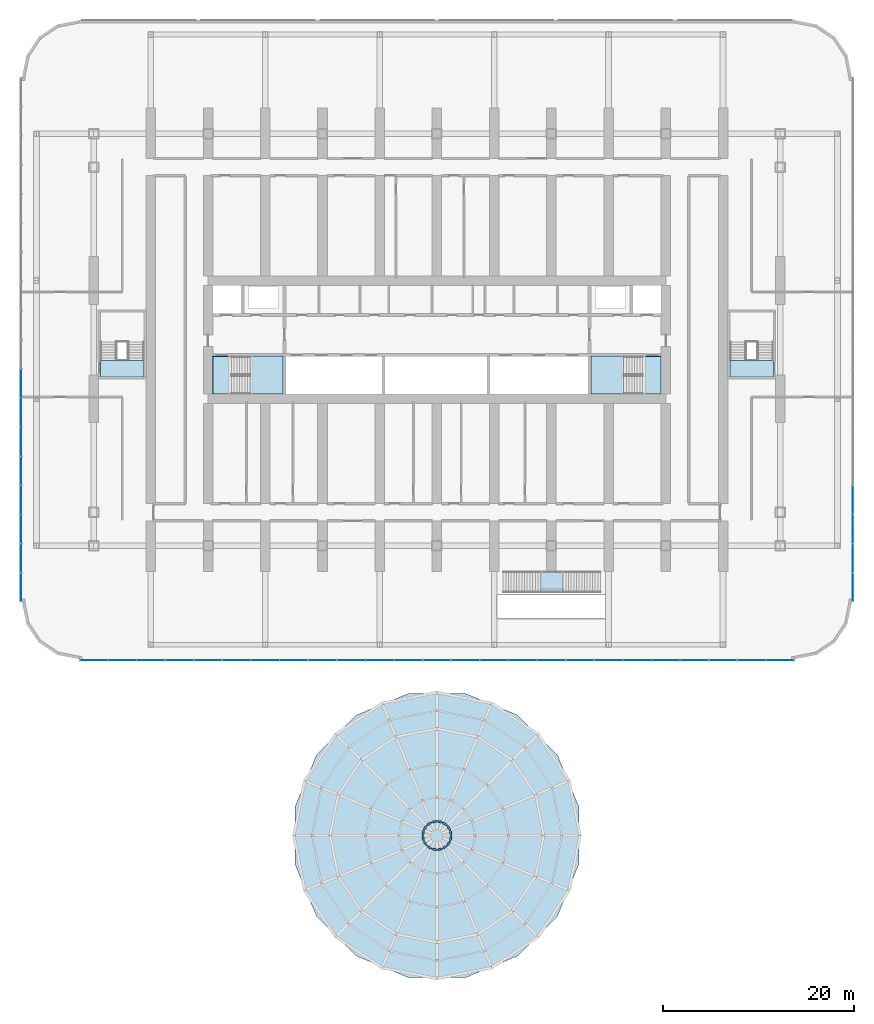
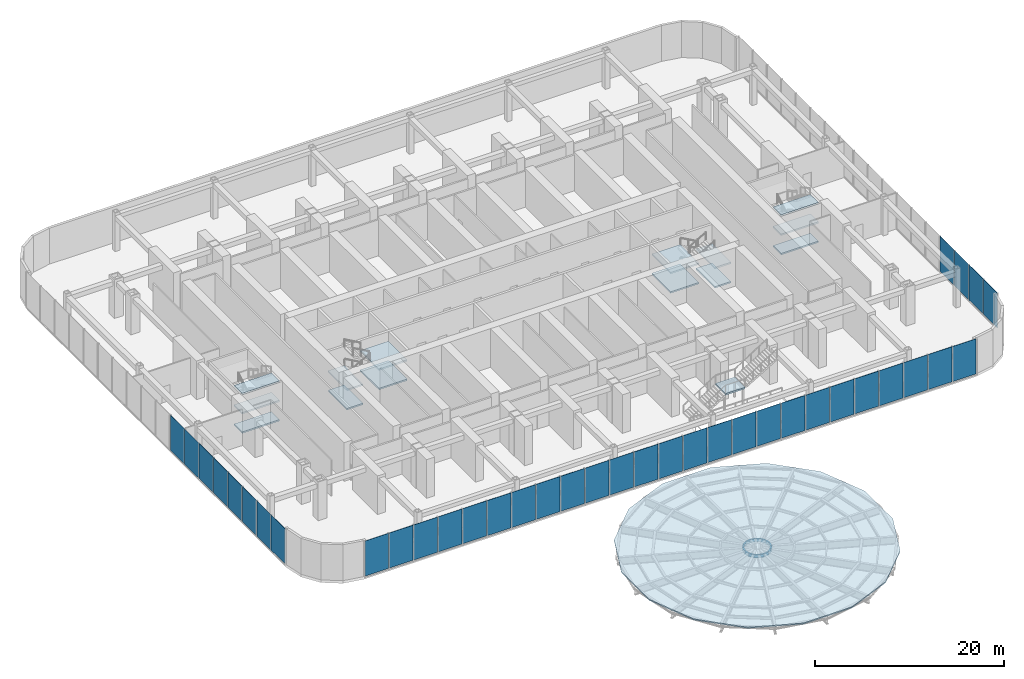
# One storey, part 12 of 37: 37 plates, 16 members, 16 slabs, 8 elements without a shape of their own.
"""IFC4 building model written with IfcOpenShell, lengths in metres."""

import ifcopenshell
import ifcopenshell.guid

model = None  # the IFC model being written
_history = None  # IfcOwnerHistory: only IFC2X3 demands one
_inside = {}  # id of a spatial element -> (the spatial element, [elements in it])
_under = {}  # id of a project, library or spatial element -> (it, [spatial elements below it])
_declared = {}  # id of a project -> (the project, [libraries it declares])
_typed = {}  # id of a type object -> (the type object, [elements of that type])
_made_of = {}  # id of a material, layer set ... -> (it, [elements and type objects made of it])


def new_model(schema):
    """Start an empty IFC model of exactly this schema.

    Asked for "IFC4X3", IfcOpenShell would pick the latest addendum, in which some entities
    have other attributes; the version numbers below select the first issue.
    IFC2X3 requires an IfcOwnerHistory on every rooted entity: one is made here for all.
    """
    global model, _history
    if schema == "IFC4X3":
        model = ifcopenshell.file(schema_version=(4, 3, 0, 0))
    else:
        model = ifcopenshell.file(schema=schema)
    _inside.clear()
    _under.clear()
    _declared.clear()
    _typed.clear()
    _made_of.clear()
    _history = None
    if model.schema == "IFC2X3":
        org = make("IfcOrganization", Name="unknown")
        user = make(
            "IfcPersonAndOrganization",
            ThePerson=make("IfcPerson", FamilyName="unknown"),
            TheOrganization=org,
        )
        app = make(
            "IfcApplication",
            ApplicationDeveloper=org,
            Version="unknown",
            ApplicationFullName="unknown",
            ApplicationIdentifier="unknown",
        )
        _history = make(
            "IfcOwnerHistory",
            OwningUser=user,
            OwningApplication=app,
            ChangeAction="ADDED",
            CreationDate=0,
        )
    return model


def make(cls, **values):
    """One entity of the class cls with the attributes given. An attribute that is None is left unset."""
    return model.create_entity(
        cls, **{name: value for name, value in values.items() if value is not None}
    )


def rooted(cls, **values):
    """An entity with a GlobalId (a new one), such as an element, a storey or a relation."""
    return make(cls, GlobalId=ifcopenshell.guid.new(), OwnerHistory=_history, **values)


def si_unit(unit_type, name, prefix=None):
    """IfcSIUnit, for example si_unit("LENGTHUNIT", "METRE", prefix="MILLI")."""
    return make("IfcSIUnit", UnitType=unit_type, Prefix=prefix, Name=name)


def assignment(units):
    """IfcUnitAssignment: the units of a project."""
    return None if units is None else make("IfcUnitAssignment", Units=units)


def point(xyz):
    """IfcCartesianPoint."""
    return None if xyz is None else make("IfcCartesianPoint", Coordinates=xyz)


def direction(xyz):
    """IfcDirection."""
    return None if xyz is None else make("IfcDirection", DirectionRatios=xyz)


def frame(location, z_axis=None, x_axis=None):
    """IfcAxis2Placement3D, a coordinate frame: its origin and axes. An axis left out is left unset."""
    return make(
        "IfcAxis2Placement3D",
        Location=point(location),
        Axis=direction(z_axis),
        RefDirection=direction(x_axis),
    )


def frame_2d(location, x_axis=None):
    """IfcAxis2Placement2D, a coordinate frame in the plane: its origin and x axis."""
    return make(
        "IfcAxis2Placement2D", Location=point(location), RefDirection=direction(x_axis)
    )


def origin():
    """The frame at (0, 0, 0) with its axes left unset."""
    return frame((0.0, 0.0, 0.0))


def origin_2d():
    """The frame at (0, 0) in the plane with its x axis left unset."""
    return frame_2d((0.0, 0.0))


def place(relative_to, where):
    """IfcLocalPlacement: puts the frame where relative to a parent placement (None: the world)."""
    return make(
        "IfcLocalPlacement", PlacementRelTo=relative_to, RelativePlacement=where
    )


def context(
    kind, dimensions, precision=None, world=None, true_north=None, identifier=None
):
    """IfcGeometricRepresentationContext, for example the 3D "Model" context."""
    return make(
        "IfcGeometricRepresentationContext",
        ContextIdentifier=identifier,
        ContextType=kind,
        CoordinateSpaceDimension=dimensions,
        Precision=precision,
        WorldCoordinateSystem=world,
        TrueNorth=true_north,
    )


def subcontext(parent, identifier, kind, view, scale=None):
    """IfcGeometricRepresentationSubContext, for example "Body" below "Model"."""
    return make(
        "IfcGeometricRepresentationSubContext",
        ContextIdentifier=identifier,
        ContextType=kind,
        ParentContext=parent,
        TargetScale=scale,
        TargetView=view,
    )


def project(units=None, contexts=None):
    """IfcProject with its units and contexts."""
    return rooted(
        "IfcProject",
        Name="project",
        RepresentationContexts=contexts,
        UnitsInContext=assignment(units),
    )


def spatial(cls, under=None, at=None, **own):
    """A site, building, storey or space (cls), placed at a placement, below another one or the project."""
    s = rooted(cls, ObjectPlacement=at, **own)
    if under is not None:
        _under.setdefault(under.id(), (under, []))[1].append(s)
    return s


def polyline(points):
    """IfcPolyline through the points."""
    return make("IfcPolyline", Points=[point(p) for p in points])


def profile(cls, at=None, kind="AREA", **sizes):
    """A parametric profile (cls). Its sizes go by their IFC names, for example OverallWidth=200.0."""
    return make(cls, ProfileType=kind, Position=at, **sizes)


def rectangle(**sizes):
    """IfcRectangleProfileDef."""
    return profile("IfcRectangleProfileDef", **sizes)


def i_section(**sizes):
    """IfcIShapeProfileDef."""
    return profile("IfcIShapeProfileDef", **sizes)


def outline(outer, holes=None, kind="AREA"):
    """IfcArbitraryClosedProfileDef: a profile drawn as a closed curve; with holes, ...WithVoids."""
    if holes is None:
        return make("IfcArbitraryClosedProfileDef", ProfileType=kind, OuterCurve=outer)
    return make(
        "IfcArbitraryProfileDefWithVoids",
        ProfileType=kind,
        OuterCurve=outer,
        InnerCurves=holes,
    )


def extrude(swept, where, along, depth):
    """IfcExtrudedAreaSolid: the profile swept, set in the frame where, extruded along a direction by depth."""
    return make(
        "IfcExtrudedAreaSolid",
        SweptArea=swept,
        Position=where,
        ExtrudedDirection=direction(along),
        Depth=depth,
    )


def shape(context_of_items, identifier, shape_type, items):
    """IfcShapeRepresentation: the items that make up one representation, for example the "Body"."""
    return make(
        "IfcShapeRepresentation",
        ContextOfItems=context_of_items,
        RepresentationIdentifier=identifier,
        RepresentationType=shape_type,
        Items=items,
    )


def material(Name=None, Category=None):
    """IfcMaterial."""
    return make("IfcMaterial", Name=Name, Category=Category)


def layer(
    of_material, thickness, ventilated=None, Name=None, Category=None, Priority=None
):
    """IfcMaterialLayer: one layer of a wall or slab, of a material (None: an air gap)."""
    return make(
        "IfcMaterialLayer",
        Material=of_material,
        LayerThickness=thickness,
        IsVentilated=ventilated,
        Name=Name,
        Category=Category,
        Priority=Priority,
    )


def layer_set(layers, Name=None):
    """IfcMaterialLayerSet."""
    return make("IfcMaterialLayerSet", MaterialLayers=layers, LayerSetName=Name)


def material_profile(
    of_material, cross_section, Name=None, Category=None, Priority=None
):
    """IfcMaterialProfile: a cross section and its material."""
    return make(
        "IfcMaterialProfile",
        Name=Name,
        Material=of_material,
        Profile=cross_section,
        Priority=Priority,
        Category=Category,
    )


def profile_set(profiles, Name=None, composite=None):
    """IfcMaterialProfileSet."""
    return make(
        "IfcMaterialProfileSet",
        Name=Name,
        MaterialProfiles=profiles,
        CompositeProfile=composite,
    )


def made_of(thing, what):
    """Note that an element or type object is made of a material, layer set ...; save() writes the relation."""
    if what is not None:
        _made_of.setdefault(what.id(), (what, []))[1].append(thing)
    return thing


def type_object(cls, material=None, **own):
    """A type object (cls), such as IfcWallType, which elements share."""
    return made_of(rooted(cls, **own), material)


def element(
    cls,
    number,
    at=None,
    inside=None,
    cuts=None,
    type_object=None,
    material=None,
    context=None,
    identifier="Body",
    shape_type=None,
    held_by="IfcProductDefinitionShape",
    body=None,
    shapes=None,
    **own,
):
    """One element of the class cls, such as IfcWall. Its Tag is "e" and its number.

    at: its placement. inside: the storey or other place that contains it. cuts: it is an
    opening in that element (IfcRelVoidsElement). A single representation is given by context,
    identifier, shape_type and body (its items); several are given by shapes. held_by: the class
    of the entity that holds the representations. save() writes the other relations.
    """
    e = rooted(cls, Tag="e%d" % number, ObjectPlacement=at, **own)
    if body is not None:
        shapes = [shape(context, identifier, shape_type, body)]
    if shapes is not None:
        e.Representation = make(held_by, Representations=shapes)
    if inside is not None:
        _inside.setdefault(inside.id(), (inside, []))[1].append(e)
    if cuts is not None:
        rooted(
            "IfcRelVoidsElement", RelatingBuildingElement=cuts, RelatedOpeningElement=e
        )
    if type_object is not None:
        _typed.setdefault(type_object.id(), (type_object, []))[1].append(e)
    return made_of(e, material)


def aggregate(whole, parts):
    """IfcRelAggregates: a whole, such as a stair, and the parts it consists of."""
    return rooted("IfcRelAggregates", RelatingObject=whole, RelatedObjects=parts)


def save(model, path):
    """Write the relations noted so far, then the file.

    IfcRelAggregates (storeys below a building ...), IfcRelContainedInSpatialStructure (elements
    in a storey), IfcRelDefinesByType, IfcRelAssociatesMaterial and IfcRelDeclares: one each for
    every whole, place, type object, material and project.
    """
    for whole, parts in _under.values():
        aggregate(whole, parts)
    for where, things in _inside.values():
        rooted(
            "IfcRelContainedInSpatialStructure",
            RelatedElements=things,
            RelatingStructure=where,
        )
    for kind, things in _typed.values():
        rooted("IfcRelDefinesByType", RelatedObjects=things, RelatingType=kind)
    for what, things in _made_of.values():
        rooted("IfcRelAssociatesMaterial", RelatedObjects=things, RelatingMaterial=what)
    for by, libraries in _declared.values():
        rooted("IfcRelDeclares", RelatingContext=by, RelatedDefinitions=libraries)
    model.write(path)


model = new_model("IFC4")

# Units and contexts
model_context = context("Model", 3, precision=1e-05, world=origin(), true_north=direction((0.0, 1.0)))
body_context = subcontext(model_context, "Body", "Model", "MODEL_VIEW")
ifc_project = project(units=[si_unit("LENGTHUNIT", "METRE"), si_unit("AREAUNIT", "SQUARE_METRE"), si_unit("VOLUMEUNIT", "CUBIC_METRE"), si_unit("PLANEANGLEUNIT", "RADIAN"), si_unit("MASSUNIT", "GRAM", prefix="KILO")], contexts=[model_context])

# Site, building, storey
site_placement = place(None, origin())
site = spatial("IfcSite", under=ifc_project, at=site_placement, CompositionType="ELEMENT")
building_placement = place(site_placement, origin())
building = spatial("IfcBuilding", under=site, at=building_placement, Name="Orbita Commons", CompositionType="ELEMENT")
storey_placement = place(building_placement, frame((0.0, 0.0, 6.0)))
storey = spatial("IfcBuildingStorey", under=building, at=storey_placement, Name="L01", CompositionType="ELEMENT", Elevation=6.0)

# Members
ifc_material_1 = material(Name="Steel ASTM A992", Category="steel")
ifc_material_profile = material_profile(ifc_material_1, i_section(OverallWidth=0.179931640625, OverallDepth=0.39990234375, WebThickness=0.008544921875, FlangeThickness=0.013427734375, FilletRadius=0.02099609375, at=origin_2d()), Name="IPE 400")
ifc_profile_set = profile_set([ifc_material_profile], Name="Steel ASTM A992")
member_type = type_object("IfcMemberType", Name="Canopy purlin IPE 400", PredefinedType="PURLIN", material=ifc_profile_set)
for number, where, z_axis, x_axis, name in (
    (1, (43.5, -20.0, 1.800048828125), (-0.195233589627, 0.980756771825, 0.0), (-0.980756771825, -0.195233589627, 0.0), "Canopy purlin r1.5 1"),
    (2, (43.3857421875, -19.426025390625, 1.800048828125), (-0.555662511211, 0.831407946579, 0.0), (-0.831407946579, -0.555662511211, 0.0), "Canopy purlin r1.5 2"),
    (3, (43.060546875, -18.939453125, 1.800048828125), (-0.831407946579, 0.555662511211, 0.0), (-0.555662511211, -0.831407946579, 0.0), "Canopy purlin r1.5 3"),
    (4, (42.573974609375, -18.6142578125, 1.800048828125), (-0.980756771825, 0.195233589627, 0.0), (-0.195233589627, -0.980756771825, 0.0), "Canopy purlin r1.5 4"),
    (5, (42.0, -18.5, 1.800048828125), (-0.980756771825, -0.195233589627, 0.0), (0.195233589627, -0.980756771825, 0.0), "Canopy purlin r1.5 5"),
    (6, (41.426025390625, -18.6142578125, 1.800048828125), (-0.831407946579, -0.555662511211, 0.0), (0.555662511211, -0.831407946579, 0.0), "Canopy purlin r1.5 6"),
    (7, (40.939453125, -18.939453125, 1.800048828125), (-0.555662511211, -0.831407946579, 0.0), (0.831407946579, -0.555662511211, 0.0), "Canopy purlin r1.5 7"),
    (8, (40.6142578125, -19.426025390625, 1.800048828125), (-0.195233589627, -0.980756771825, 0.0), (0.980756771825, -0.195233589627, 0.0), "Canopy purlin r1.5 8"),
    (9, (40.5, -20.0, 1.800048828125), (0.195233589627, -0.980756771825, 0.0), (0.980756771825, 0.195233589627, 0.0), "Canopy purlin r1.5 9"),
    (10, (40.6142578125, -20.573974609375, 1.800048828125), (0.555662511211, -0.831407946579, 0.0), (0.831407946579, 0.555662511211, 0.0), "Canopy purlin r1.5 10"),
    (11, (40.939453125, -21.060546875, 1.800048828125), (0.831407946579, -0.555662511211, 0.0), (0.555662511211, 0.831407946579, 0.0), "Canopy purlin r1.5 11"),
    (12, (41.426025390625, -21.3857421875, 1.800048828125), (0.980756771825, -0.195233589627, 0.0), (0.195233589627, 0.980756771825, 0.0), "Canopy purlin r1.5 12"),
    (13, (42.0, -21.5, 1.800048828125), (0.980756771825, 0.195233589627, 0.0), (-0.195233589627, 0.980756771825, 0.0), "Canopy purlin r1.5 13"),
    (14, (42.573974609375, -21.3857421875, 1.800048828125), (0.831407946579, 0.555662511211, 0.0), (-0.555662511211, 0.831407946579, 0.0), "Canopy purlin r1.5 14"),
    (15, (43.060546875, -21.060546875, 1.800048828125), (0.555662511211, 0.831407946579, 0.0), (-0.831407946579, 0.555662511211, 0.0), "Canopy purlin r1.5 15"),
    (16, (43.3857421875, -20.573974609375, 1.800048828125), (0.195233589627, 0.980756771825, 0.0), (-0.980756771825, 0.195233589627, 0.0), "Canopy purlin r1.5 16"),
):
    element("IfcMember", number, at=place(storey_placement, frame(where, z_axis=z_axis, x_axis=x_axis)), inside=storey, type_object=member_type, Name=name, PredefinedType="PURLIN", context=body_context, shape_type="SweptSolid", body=[
        extrude(i_section(OverallWidth=0.179931640625, OverallDepth=0.39990234375, WebThickness=0.008544921875, FlangeThickness=0.013427734375, FilletRadius=0.02099609375, at=origin_2d()), origin(), (0.0, 0.0, 1.0), 0.585205078125),
    ])

# Slab
ifc_material_2 = material(Name="Concrete C40/50 on steel deck", Category="concrete")
ifc_layer_1 = layer(ifc_material_2, 0.14990234375)
ifc_layer_set_1 = layer_set([ifc_layer_1], Name="Concrete C40/50 on steel deck")
slab_type_1 = type_object("IfcSlabType", Name="Canopy roof deck 150", PredefinedType="ROOF", material=ifc_layer_set_1)
slab_1_placement = place(storey_placement, frame((0.0, 0.0, 2.0)))
element("IfcSlab", 17, at=slab_1_placement, inside=storey, type_object=slab_type_1, Name="Saucer canopy roof deck", PredefinedType="ROOF", context=body_context, shape_type="SweptSolid", body=[
    extrude(outline(polyline([(56.907958984375, -17.03466796875), (54.638427734375, -11.555419921875), (50.444580078125, -7.361572265625), (44.96533203125, -5.092041015625), (39.03466796875, -5.092041015625), (33.555419921875, -7.361572265625), (29.361572265625, -11.555419921875), (27.092041015625, -17.03466796875), (27.092041015625, -22.96533203125), (29.361572265625, -28.444580078125), (33.555419921875, -32.638427734375), (39.03466796875, -34.907958984375), (44.96533203125, -34.907958984375), (50.444580078125, -32.638427734375), (54.638427734375, -28.444580078125), (56.907958984375, -22.96533203125), (56.907958984375, -17.03466796875)])), origin(), (0.0, 0.0, 1.0), 0.14990234375),
])

# Stair, slab
ifc_material_3 = material(Name="Steel ASTM A992 stringers, precast concrete C40/50 terrazzo treads", Category="concrete")
stair_type_1 = type_object("IfcStairType", Name="Feature stair 30 risers 167 x 280 x 2200", PredefinedType="STRAIGHT_RUN_STAIR", material=ifc_material_3)
stair_1_placement = place(storey_placement, origin())
stair_1 = element("IfcStair", 18, at=stair_1_placement, inside=storey, type_object=stair_type_1, Name="Grand stair L01 to L02", PredefinedType="STRAIGHT_RUN_STAIR")
ifc_material_4 = material(Name="Concrete C40/50", Category="concrete")
ifc_layer_2 = layer(ifc_material_4, 0.199951171875)
ifc_layer_set_2 = layer_set([ifc_layer_2], Name="Concrete C40/50")
slab_type_2 = type_object("IfcSlabType", Name="Feature stair landing 200", PredefinedType="LANDING", material=ifc_layer_set_2)
slab_2_placement = place(storey_placement, frame((0.0, 0.0, 2.300048828125)))
slab_2 = element("IfcSlab", 19, at=slab_2_placement, type_object=slab_type_2, Name="FS landing 1", PredefinedType="LANDING", context=body_context, shape_type="SweptSolid", body=[
    extrude(outline(polyline([(52.8701171875, 5.5), (55.239990234375, 5.5), (55.239990234375, 7.699951171875), (52.8701171875, 7.699951171875), (52.8701171875, 5.5)])), origin(), (0.0, 0.0, 1.0), 0.199951171875),
])
aggregate(stair_1, [slab_2])

# Stair, slabs
ifc_material_5 = material(Name="Precast concrete C40/50", Category="concrete")
stair_type_2 = type_object("IfcStairType", Name="Exit stair S1 4 flights 8 risers 156", PredefinedType="HALF_TURN_STAIR", material=ifc_material_5)
stair_2_placement = place(storey_placement, origin())
stair_2 = element("IfcStair", 20, at=stair_2_placement, inside=storey, type_object=stair_type_2, Name="Exit stair S1 L01", PredefinedType="HALF_TURN_STAIR")
ifc_material_6 = material(Name="Concrete C40/50", Category="concrete")
ifc_layer_3 = layer(ifc_material_6, 0.199951171875)
ifc_layer_set_3 = layer_set([ifc_layer_3], Name="Concrete C40/50")
slab_type_3 = type_object("IfcSlabType", Name="Stair landing 200", PredefinedType="LANDING", material=ifc_layer_set_3)
slab_3_placement = place(storey_placement, frame((0.0, 0.0, -0.199951171875)))
slab_3 = element("IfcSlab", 21, at=slab_3_placement, type_object=slab_type_3, Name="S1 landing 1", PredefinedType="LANDING", context=body_context, shape_type="SweptSolid", body=[
    extrude(outline(polyline([(18.5, 26.300048828125), (20.449951171875, 26.300048828125), (20.449951171875, 30.25), (18.5, 30.25), (18.5, 26.300048828125)])), origin(), (0.0, 0.0, 1.0), 0.199951171875),
])
slab_4_placement = place(storey_placement, frame((0.0, 0.0, 1.050048828125)))
slab_4 = element("IfcSlab", 22, at=slab_4_placement, type_object=slab_type_3, Name="S1 landing 2", PredefinedType="LANDING", context=body_context, shape_type="SweptSolid", body=[
    extrude(outline(polyline([(22.409912109375, 26.284912109375), (25.864990234375, 26.284912109375), (25.864990234375, 30.264892578125), (22.409912109375, 30.264892578125), (22.409912109375, 26.284912109375)])), origin(), (0.0, 0.0, 1.0), 0.199951171875),
])
slab_5_placement = place(storey_placement, frame((0.0, 0.0, 2.300048828125)))
slab_5 = element("IfcSlab", 23, at=slab_5_placement, type_object=slab_type_3, Name="S1 landing 3", PredefinedType="LANDING", context=body_context, shape_type="SweptSolid", body=[
    extrude(outline(polyline([(18.485107421875, 26.284912109375), (20.449951171875, 26.284912109375), (20.449951171875, 30.264892578125), (18.485107421875, 30.264892578125), (18.485107421875, 26.284912109375)])), origin(), (0.0, 0.0, 1.0), 0.199951171875),
])
slab_6_placement = place(storey_placement, frame((0.0, 0.0, 3.550048828125)))
slab_6 = element("IfcSlab", 24, at=slab_6_placement, type_object=slab_type_3, Name="S1 landing 4", PredefinedType="LANDING", context=body_context, shape_type="SweptSolid", body=[
    extrude(outline(polyline([(22.409912109375, 26.284912109375), (25.864990234375, 26.284912109375), (25.864990234375, 30.264892578125), (22.409912109375, 30.264892578125), (22.409912109375, 26.284912109375)])), origin(), (0.0, 0.0, 1.0), 0.199951171875),
])
aggregate(stair_2, [slab_3, slab_4, slab_5, slab_6])

ifc_material_7 = material(Name="Precast concrete C40/50", Category="concrete")
stair_type_3 = type_object("IfcStairType", Name="Exit stair S2 4 flights 8 risers 156", PredefinedType="HALF_TURN_STAIR", material=ifc_material_7)
stair_3_placement = place(storey_placement, origin())
stair_3 = element("IfcStair", 25, at=stair_3_placement, inside=storey, type_object=stair_type_3, Name="Exit stair S2 L01", PredefinedType="HALF_TURN_STAIR")
slab_7_placement = place(storey_placement, frame((0.0, 0.0, -0.199951171875)))
slab_7 = element("IfcSlab", 26, at=slab_7_placement, type_object=slab_type_3, Name="S2 landing 1", PredefinedType="LANDING", context=body_context, shape_type="SweptSolid", body=[
    extrude(outline(polyline([(63.550048828125, 26.300048828125), (65.5, 26.300048828125), (65.5, 30.25), (63.550048828125, 30.25), (63.550048828125, 26.300048828125)])), origin(), (0.0, 0.0, 1.0), 0.199951171875),
])
slab_8_placement = place(storey_placement, frame((0.0, 0.0, 1.050048828125)))
slab_8 = element("IfcSlab", 27, at=slab_8_placement, type_object=slab_type_3, Name="S2 landing 2", PredefinedType="LANDING", context=body_context, shape_type="SweptSolid", body=[
    extrude(outline(polyline([(58.135009765625, 26.284912109375), (61.590087890625, 26.284912109375), (61.590087890625, 30.264892578125), (58.135009765625, 30.264892578125), (58.135009765625, 26.284912109375)])), origin(), (0.0, 0.0, 1.0), 0.199951171875),
])
slab_9_placement = place(storey_placement, frame((0.0, 0.0, 2.300048828125)))
slab_9 = element("IfcSlab", 28, at=slab_9_placement, type_object=slab_type_3, Name="S2 landing 3", PredefinedType="LANDING", context=body_context, shape_type="SweptSolid", body=[
    extrude(outline(polyline([(63.550048828125, 26.284912109375), (65.514892578125, 26.284912109375), (65.514892578125, 30.264892578125), (63.550048828125, 30.264892578125), (63.550048828125, 26.284912109375)])), origin(), (0.0, 0.0, 1.0), 0.199951171875),
])
slab_10_placement = place(storey_placement, frame((0.0, 0.0, 3.550048828125)))
slab_10 = element("IfcSlab", 29, at=slab_10_placement, type_object=slab_type_3, Name="S2 landing 4", PredefinedType="LANDING", context=body_context, shape_type="SweptSolid", body=[
    extrude(outline(polyline([(58.135009765625, 26.284912109375), (61.590087890625, 26.284912109375), (61.590087890625, 30.264892578125), (58.135009765625, 30.264892578125), (58.135009765625, 26.284912109375)])), origin(), (0.0, 0.0, 1.0), 0.199951171875),
])
aggregate(stair_3, [slab_7, slab_8, slab_9, slab_10])

ifc_material_8 = material(Name="Precast concrete C40/50", Category="concrete")
stair_type_4 = type_object("IfcStairType", Name="Podium exit stair 4 flights 8 risers 156", PredefinedType="HALF_TURN_STAIR", material=ifc_material_8)
stair_4_placement = place(storey_placement, origin())
stair_4 = element("IfcStair", 30, at=stair_4_placement, inside=storey, type_object=stair_type_4, Name="Podium exit stair PS1 L01", PredefinedType="HALF_TURN_STAIR")
slab_11_placement = place(storey_placement, frame((0.0, 0.0, -0.199951171875)))
slab_11 = element("IfcSlab", 31, at=slab_11_placement, type_object=slab_type_3, Name="PS1 landing 1", PredefinedType="LANDING", context=body_context, shape_type="SweptSolid", body=[
    extrude(outline(polyline([(6.7099609375, 28.110107421875), (11.2900390625, 28.110107421875), (11.2900390625, 29.820068359375), (6.7099609375, 29.820068359375), (6.7099609375, 28.110107421875)])), origin(), (0.0, 0.0, 1.0), 0.199951171875),
])
slab_12_placement = place(storey_placement, frame((0.0, 0.0, 2.300048828125)))
slab_12 = element("IfcSlab", 32, at=slab_12_placement, type_object=slab_type_3, Name="PS1 landing 3", PredefinedType="LANDING", context=body_context, shape_type="SweptSolid", body=[
    extrude(outline(polyline([(6.7099609375, 28.110107421875), (11.2900390625, 28.110107421875), (11.2900390625, 29.820068359375), (6.7099609375, 29.820068359375), (6.7099609375, 28.110107421875)])), origin(), (0.0, 0.0, 1.0), 0.199951171875),
])
slab_13_placement = place(storey_placement, frame((0.0, 0.0, 4.800048828125)))
slab_13 = element("IfcSlab", 33, at=slab_13_placement, type_object=slab_type_3, Name="PS1 landing 5", PredefinedType="LANDING", context=body_context, shape_type="SweptSolid", body=[
    extrude(outline(polyline([(6.7099609375, 28.110107421875), (11.2900390625, 28.110107421875), (11.2900390625, 29.820068359375), (6.7099609375, 29.820068359375), (6.7099609375, 28.110107421875)])), origin(), (0.0, 0.0, 1.0), 0.199951171875),
])
aggregate(stair_4, [slab_11, slab_12, slab_13])

stair_5_placement = place(storey_placement, origin())
stair_5 = element("IfcStair", 34, at=stair_5_placement, inside=storey, type_object=stair_type_4, Name="Podium exit stair PS2 L01", PredefinedType="HALF_TURN_STAIR")
slab_14_placement = place(storey_placement, frame((0.0, 0.0, -0.199951171875)))
slab_14 = element("IfcSlab", 35, at=slab_14_placement, type_object=slab_type_3, Name="PS2 landing 1", PredefinedType="LANDING", context=body_context, shape_type="SweptSolid", body=[
    extrude(outline(polyline([(72.7099609375, 28.110107421875), (77.2900390625, 28.110107421875), (77.2900390625, 29.820068359375), (72.7099609375, 29.820068359375), (72.7099609375, 28.110107421875)])), origin(), (0.0, 0.0, 1.0), 0.199951171875),
])
slab_15_placement = place(storey_placement, frame((0.0, 0.0, 2.300048828125)))
slab_15 = element("IfcSlab", 36, at=slab_15_placement, type_object=slab_type_3, Name="PS2 landing 3", PredefinedType="LANDING", context=body_context, shape_type="SweptSolid", body=[
    extrude(outline(polyline([(72.7099609375, 28.110107421875), (77.2900390625, 28.110107421875), (77.2900390625, 29.820068359375), (72.7099609375, 29.820068359375), (72.7099609375, 28.110107421875)])), origin(), (0.0, 0.0, 1.0), 0.199951171875),
])
slab_16_placement = place(storey_placement, frame((0.0, 0.0, 4.800048828125)))
slab_16 = element("IfcSlab", 37, at=slab_16_placement, type_object=slab_type_3, Name="PS2 landing 5", PredefinedType="LANDING", context=body_context, shape_type="SweptSolid", body=[
    extrude(outline(polyline([(72.7099609375, 28.110107421875), (77.2900390625, 28.110107421875), (77.2900390625, 29.820068359375), (72.7099609375, 29.820068359375), (72.7099609375, 28.110107421875)])), origin(), (0.0, 0.0, 1.0), 0.199951171875),
])
aggregate(stair_5, [slab_14, slab_15, slab_16])

# Curtain wall, plates
ifc_material_9 = material(Name="Anodised aluminium frame, pale silver", Category="aluminium")
curtain_wall_type = type_object("IfcCurtainWallType", Name="Podium storefront curtain wall CW-P", PredefinedType="NOTDEFINED", material=ifc_material_9)
curtain_wall_1_placement = place(storey_placement, origin())
curtain_wall_1 = element("IfcCurtainWall", 38, at=curtain_wall_1_placement, inside=storey, type_object=curtain_wall_type, Name="Curtain wall S 1 L01", PredefinedType="NOTDEFINED")
ifc_material_10 = material(Name="Clear double glazing", Category="glass")
ifc_layer_4 = layer(ifc_material_10, 0.031982421875)
ifc_layer_set_4 = layer_set([ifc_layer_4], Name="Clear double glazing")
plate_type = type_object("IfcPlateType", Name="Storefront panel, clear glazing 32", PredefinedType="CURTAIN_PANEL", material=ifc_layer_set_4)
plate_1_placement = place(storey_placement, frame((6.02001953125, -1.610107421875, 0.10009765625), z_axis=(0.0, 0.0, 1.0), x_axis=(1.0, 0.0, 0.0)))
plate_1 = element("IfcPlate", 39, at=plate_1_placement, type_object=plate_type, Name="Panel 1.1 CW-L01-S0", PredefinedType="CURTAIN_PANEL", context=body_context, shape_type="SweptSolid", body=[
    extrude(rectangle(XDim=2.8798828125, YDim=0.031982421875, at=origin_2d()), origin(), (0.0, 0.0, 1.0), 4.550048828125),
])
plate_2_placement = place(storey_placement, frame((9.0, -1.610107421875, 0.10009765625), z_axis=(0.0, 0.0, 1.0), x_axis=(1.0, 0.0, 0.0)))
plate_2 = element("IfcPlate", 40, at=plate_2_placement, type_object=plate_type, Name="Panel 2.1 CW-L01-S0", PredefinedType="CURTAIN_PANEL", context=body_context, shape_type="SweptSolid", body=[
    extrude(rectangle(XDim=2.919921875, YDim=0.031982421875, at=origin_2d()), origin(), (0.0, 0.0, 1.0), 4.550048828125),
])
plate_3_placement = place(storey_placement, frame((12.0, -1.610107421875, 0.10009765625), z_axis=(0.0, 0.0, 1.0), x_axis=(1.0, 0.0, 0.0)))
plate_3 = element("IfcPlate", 41, at=plate_3_placement, type_object=plate_type, Name="Panel 3.1 CW-L01-S0", PredefinedType="CURTAIN_PANEL", context=body_context, shape_type="SweptSolid", body=[
    extrude(rectangle(XDim=2.919921875, YDim=0.031982421875, at=origin_2d()), origin(), (0.0, 0.0, 1.0), 4.550048828125),
])
plate_4_placement = place(storey_placement, frame((15.0, -1.610107421875, 0.10009765625), z_axis=(0.0, 0.0, 1.0), x_axis=(1.0, 0.0, 0.0)))
plate_4 = element("IfcPlate", 42, at=plate_4_placement, type_object=plate_type, Name="Panel 4.1 CW-L01-S0", PredefinedType="CURTAIN_PANEL", context=body_context, shape_type="SweptSolid", body=[
    extrude(rectangle(XDim=2.919921875, YDim=0.031982421875, at=origin_2d()), origin(), (0.0, 0.0, 1.0), 4.550048828125),
])
plate_5_placement = place(storey_placement, frame((18.0, -1.610107421875, 0.10009765625), z_axis=(0.0, 0.0, 1.0), x_axis=(1.0, 0.0, 0.0)))
plate_5 = element("IfcPlate", 43, at=plate_5_placement, type_object=plate_type, Name="Panel 5.1 CW-L01-S0", PredefinedType="CURTAIN_PANEL", context=body_context, shape_type="SweptSolid", body=[
    extrude(rectangle(XDim=2.919921875, YDim=0.031982421875, at=origin_2d()), origin(), (0.0, 0.0, 1.0), 4.550048828125),
])
plate_6_placement = place(storey_placement, frame((21.0, -1.610107421875, 0.10009765625), z_axis=(0.0, 0.0, 1.0), x_axis=(1.0, 0.0, 0.0)))
plate_6 = element("IfcPlate", 44, at=plate_6_placement, type_object=plate_type, Name="Panel 6.1 CW-L01-S0", PredefinedType="CURTAIN_PANEL", context=body_context, shape_type="SweptSolid", body=[
    extrude(rectangle(XDim=2.919921875, YDim=0.031982421875, at=origin_2d()), origin(), (0.0, 0.0, 1.0), 4.550048828125),
])
plate_7_placement = place(storey_placement, frame((24.0, -1.610107421875, 0.10009765625), z_axis=(0.0, 0.0, 1.0), x_axis=(1.0, 0.0, 0.0)))
plate_7 = element("IfcPlate", 45, at=plate_7_placement, type_object=plate_type, Name="Panel 7.1 CW-L01-S0", PredefinedType="CURTAIN_PANEL", context=body_context, shape_type="SweptSolid", body=[
    extrude(rectangle(XDim=2.919921875, YDim=0.031982421875, at=origin_2d()), origin(), (0.0, 0.0, 1.0), 4.550048828125),
])
plate_8_placement = place(storey_placement, frame((27.0, -1.610107421875, 0.10009765625), z_axis=(0.0, 0.0, 1.0), x_axis=(1.0, 0.0, 0.0)))
plate_8 = element("IfcPlate", 46, at=plate_8_placement, type_object=plate_type, Name="Panel 8.1 CW-L01-S0", PredefinedType="CURTAIN_PANEL", context=body_context, shape_type="SweptSolid", body=[
    extrude(rectangle(XDim=2.919921875, YDim=0.031982421875, at=origin_2d()), origin(), (0.0, 0.0, 1.0), 4.550048828125),
])
plate_9_placement = place(storey_placement, frame((30.0, -1.610107421875, 0.10009765625), z_axis=(0.0, 0.0, 1.0), x_axis=(1.0, 0.0, 0.0)))
plate_9 = element("IfcPlate", 47, at=plate_9_placement, type_object=plate_type, Name="Panel 9.1 CW-L01-S0", PredefinedType="CURTAIN_PANEL", context=body_context, shape_type="SweptSolid", body=[
    extrude(rectangle(XDim=2.919921875, YDim=0.031982421875, at=origin_2d()), origin(), (0.0, 0.0, 1.0), 4.550048828125),
])
plate_10_placement = place(storey_placement, frame((33.0, -1.610107421875, 0.10009765625), z_axis=(0.0, 0.0, 1.0), x_axis=(1.0, 0.0, 0.0)))
plate_10 = element("IfcPlate", 48, at=plate_10_placement, type_object=plate_type, Name="Panel 10.1 CW-L01-S0", PredefinedType="CURTAIN_PANEL", context=body_context, shape_type="SweptSolid", body=[
    extrude(rectangle(XDim=2.919921875, YDim=0.031982421875, at=origin_2d()), origin(), (0.0, 0.0, 1.0), 4.550048828125),
])
plate_11_placement = place(storey_placement, frame((36.0, -1.610107421875, 0.10009765625), z_axis=(0.0, 0.0, 1.0), x_axis=(1.0, 0.0, 0.0)))
plate_11 = element("IfcPlate", 49, at=plate_11_placement, type_object=plate_type, Name="Panel 11.1 CW-L01-S0", PredefinedType="CURTAIN_PANEL", context=body_context, shape_type="SweptSolid", body=[
    extrude(rectangle(XDim=2.919921875, YDim=0.031982421875, at=origin_2d()), origin(), (0.0, 0.0, 1.0), 4.550048828125),
])
plate_12_placement = place(storey_placement, frame((39.0, -1.610107421875, 0.10009765625), z_axis=(0.0, 0.0, 1.0), x_axis=(1.0, 0.0, 0.0)))
plate_12 = element("IfcPlate", 50, at=plate_12_placement, type_object=plate_type, Name="Panel 12.1 CW-L01-S0", PredefinedType="CURTAIN_PANEL", context=body_context, shape_type="SweptSolid", body=[
    extrude(rectangle(XDim=2.919921875, YDim=0.031982421875, at=origin_2d()), origin(), (0.0, 0.0, 1.0), 4.550048828125),
])
plate_13_placement = place(storey_placement, frame((42.0, -1.610107421875, 0.10009765625), z_axis=(0.0, 0.0, 1.0), x_axis=(1.0, 0.0, 0.0)))
plate_13 = element("IfcPlate", 51, at=plate_13_placement, type_object=plate_type, Name="Panel 13.1 CW-L01-S0", PredefinedType="CURTAIN_PANEL", context=body_context, shape_type="SweptSolid", body=[
    extrude(rectangle(XDim=2.919921875, YDim=0.031982421875, at=origin_2d()), origin(), (0.0, 0.0, 1.0), 4.550048828125),
])
plate_14_placement = place(storey_placement, frame((45.0, -1.610107421875, 0.10009765625), z_axis=(0.0, 0.0, 1.0), x_axis=(1.0, 0.0, 0.0)))
plate_14 = element("IfcPlate", 52, at=plate_14_placement, type_object=plate_type, Name="Panel 14.1 CW-L01-S0", PredefinedType="CURTAIN_PANEL", context=body_context, shape_type="SweptSolid", body=[
    extrude(rectangle(XDim=2.919921875, YDim=0.031982421875, at=origin_2d()), origin(), (0.0, 0.0, 1.0), 4.550048828125),
])
plate_15_placement = place(storey_placement, frame((48.0, -1.610107421875, 0.10009765625), z_axis=(0.0, 0.0, 1.0), x_axis=(1.0, 0.0, 0.0)))
plate_15 = element("IfcPlate", 53, at=plate_15_placement, type_object=plate_type, Name="Panel 15.1 CW-L01-S0", PredefinedType="CURTAIN_PANEL", context=body_context, shape_type="SweptSolid", body=[
    extrude(rectangle(XDim=2.919921875, YDim=0.031982421875, at=origin_2d()), origin(), (0.0, 0.0, 1.0), 4.550048828125),
])
plate_16_placement = place(storey_placement, frame((51.0, -1.610107421875, 0.10009765625), z_axis=(0.0, 0.0, 1.0), x_axis=(1.0, 0.0, 0.0)))
plate_16 = element("IfcPlate", 54, at=plate_16_placement, type_object=plate_type, Name="Panel 16.1 CW-L01-S0", PredefinedType="CURTAIN_PANEL", context=body_context, shape_type="SweptSolid", body=[
    extrude(rectangle(XDim=2.919921875, YDim=0.031982421875, at=origin_2d()), origin(), (0.0, 0.0, 1.0), 4.550048828125),
])
plate_17_placement = place(storey_placement, frame((54.0, -1.610107421875, 0.10009765625), z_axis=(0.0, 0.0, 1.0), x_axis=(1.0, 0.0, 0.0)))
plate_17 = element("IfcPlate", 55, at=plate_17_placement, type_object=plate_type, Name="Panel 17.1 CW-L01-S0", PredefinedType="CURTAIN_PANEL", context=body_context, shape_type="SweptSolid", body=[
    extrude(rectangle(XDim=2.919921875, YDim=0.031982421875, at=origin_2d()), origin(), (0.0, 0.0, 1.0), 4.550048828125),
])
plate_18_placement = place(storey_placement, frame((57.0, -1.610107421875, 0.10009765625), z_axis=(0.0, 0.0, 1.0), x_axis=(1.0, 0.0, 0.0)))
plate_18 = element("IfcPlate", 56, at=plate_18_placement, type_object=plate_type, Name="Panel 18.1 CW-L01-S0", PredefinedType="CURTAIN_PANEL", context=body_context, shape_type="SweptSolid", body=[
    extrude(rectangle(XDim=2.919921875, YDim=0.031982421875, at=origin_2d()), origin(), (0.0, 0.0, 1.0), 4.550048828125),
])
plate_19_placement = place(storey_placement, frame((60.0, -1.610107421875, 0.10009765625), z_axis=(0.0, 0.0, 1.0), x_axis=(1.0, 0.0, 0.0)))
plate_19 = element("IfcPlate", 57, at=plate_19_placement, type_object=plate_type, Name="Panel 19.1 CW-L01-S0", PredefinedType="CURTAIN_PANEL", context=body_context, shape_type="SweptSolid", body=[
    extrude(rectangle(XDim=2.919921875, YDim=0.031982421875, at=origin_2d()), origin(), (0.0, 0.0, 1.0), 4.550048828125),
])
plate_20_placement = place(storey_placement, frame((63.0, -1.610107421875, 0.10009765625), z_axis=(0.0, 0.0, 1.0), x_axis=(1.0, 0.0, 0.0)))
plate_20 = element("IfcPlate", 58, at=plate_20_placement, type_object=plate_type, Name="Panel 20.1 CW-L01-S0", PredefinedType="CURTAIN_PANEL", context=body_context, shape_type="SweptSolid", body=[
    extrude(rectangle(XDim=2.919921875, YDim=0.031982421875, at=origin_2d()), origin(), (0.0, 0.0, 1.0), 4.550048828125),
])
plate_21_placement = place(storey_placement, frame((66.0, -1.610107421875, 0.10009765625), z_axis=(0.0, 0.0, 1.0), x_axis=(1.0, 0.0, 0.0)))
plate_21 = element("IfcPlate", 59, at=plate_21_placement, type_object=plate_type, Name="Panel 21.1 CW-L01-S0", PredefinedType="CURTAIN_PANEL", context=body_context, shape_type="SweptSolid", body=[
    extrude(rectangle(XDim=2.919921875, YDim=0.031982421875, at=origin_2d()), origin(), (0.0, 0.0, 1.0), 4.550048828125),
])
plate_22_placement = place(storey_placement, frame((69.0, -1.610107421875, 0.10009765625), z_axis=(0.0, 0.0, 1.0), x_axis=(1.0, 0.0, 0.0)))
plate_22 = element("IfcPlate", 60, at=plate_22_placement, type_object=plate_type, Name="Panel 22.1 CW-L01-S0", PredefinedType="CURTAIN_PANEL", context=body_context, shape_type="SweptSolid", body=[
    extrude(rectangle(XDim=2.919921875, YDim=0.031982421875, at=origin_2d()), origin(), (0.0, 0.0, 1.0), 4.550048828125),
])
plate_23_placement = place(storey_placement, frame((72.0, -1.610107421875, 0.10009765625), z_axis=(0.0, 0.0, 1.0), x_axis=(1.0, 0.0, 0.0)))
plate_23 = element("IfcPlate", 61, at=plate_23_placement, type_object=plate_type, Name="Panel 23.1 CW-L01-S0", PredefinedType="CURTAIN_PANEL", context=body_context, shape_type="SweptSolid", body=[
    extrude(rectangle(XDim=2.919921875, YDim=0.031982421875, at=origin_2d()), origin(), (0.0, 0.0, 1.0), 4.550048828125),
])
plate_24_placement = place(storey_placement, frame((75.0, -1.610107421875, 0.10009765625), z_axis=(0.0, 0.0, 1.0), x_axis=(1.0, 0.0, 0.0)))
plate_24 = element("IfcPlate", 62, at=plate_24_placement, type_object=plate_type, Name="Panel 24.1 CW-L01-S0", PredefinedType="CURTAIN_PANEL", context=body_context, shape_type="SweptSolid", body=[
    extrude(rectangle(XDim=2.919921875, YDim=0.031982421875, at=origin_2d()), origin(), (0.0, 0.0, 1.0), 4.550048828125),
])
plate_25_placement = place(storey_placement, frame((77.97998046875, -1.610107421875, 0.10009765625), z_axis=(0.0, 0.0, 1.0), x_axis=(1.0, 0.0, 0.0)))
plate_25 = element("IfcPlate", 63, at=plate_25_placement, type_object=plate_type, Name="Panel 25.1 CW-L01-S0", PredefinedType="CURTAIN_PANEL", context=body_context, shape_type="SweptSolid", body=[
    extrude(rectangle(XDim=2.8798828125, YDim=0.031982421875, at=origin_2d()), origin(), (0.0, 0.0, 1.0), 4.550048828125),
])
aggregate(curtain_wall_1, [plate_1, plate_2, plate_3, plate_4, plate_5, plate_6, plate_7, plate_8, plate_9, plate_10, plate_11, plate_12, plate_13, plate_14, plate_15, plate_16, plate_17, plate_18, plate_19, plate_20, plate_21, plate_22, plate_23, plate_24, plate_25])

curtain_wall_2_placement = place(storey_placement, origin())
curtain_wall_2 = element("IfcCurtainWall", 64, at=curtain_wall_2_placement, inside=storey, type_object=curtain_wall_type, Name="Curtain wall E 1 L01", PredefinedType="NOTDEFINED")
plate_26_placement = place(storey_placement, frame((85.610107421875, 6.0478515625, 0.10009765625), z_axis=(0.0, 0.0, 1.0), x_axis=(0.0, 1.0, 0.0)))
plate_26 = element("IfcPlate", 65, at=plate_26_placement, type_object=plate_type, Name="Panel 1.1 CW-L01-E0", PredefinedType="CURTAIN_PANEL", context=body_context, shape_type="SweptSolid", body=[
    extrude(rectangle(XDim=2.935546875, YDim=0.031982421875, at=origin_2d()), origin(), (0.0, 0.0, 1.0), 4.550048828125),
])
plate_27_placement = place(storey_placement, frame((85.610107421875, 9.083251953125, 0.10009765625), z_axis=(0.0, 0.0, 1.0), x_axis=(0.0, 1.0, 0.0)))
plate_27 = element("IfcPlate", 66, at=plate_27_placement, type_object=plate_type, Name="Panel 2.1 CW-L01-E0", PredefinedType="CURTAIN_PANEL", context=body_context, shape_type="SweptSolid", body=[
    extrude(rectangle(XDim=2.9755859375, YDim=0.031982421875, at=origin_2d()), origin(), (0.0, 0.0, 1.0), 4.550048828125),
])
plate_28_placement = place(storey_placement, frame((85.610107421875, 12.138916015625, 0.10009765625), z_axis=(0.0, 0.0, 1.0), x_axis=(0.0, 1.0, 0.0)))
plate_28 = element("IfcPlate", 67, at=plate_28_placement, type_object=plate_type, Name="Panel 3.1 CW-L01-E0", PredefinedType="CURTAIN_PANEL", context=body_context, shape_type="SweptSolid", body=[
    extrude(rectangle(XDim=2.9755859375, YDim=0.031982421875, at=origin_2d()), origin(), (0.0, 0.0, 1.0), 4.550048828125),
])
plate_29_placement = place(storey_placement, frame((85.610107421875, 15.1943359375, 0.10009765625), z_axis=(0.0, 0.0, 1.0), x_axis=(0.0, 1.0, 0.0)))
plate_29 = element("IfcPlate", 68, at=plate_29_placement, type_object=plate_type, Name="Panel 4.1 CW-L01-E0", PredefinedType="CURTAIN_PANEL", context=body_context, shape_type="SweptSolid", body=[
    extrude(rectangle(XDim=2.9755859375, YDim=0.031982421875, at=origin_2d()), origin(), (0.0, 0.0, 1.0), 4.550048828125),
])
aggregate(curtain_wall_2, [plate_26, plate_27, plate_28, plate_29])

curtain_wall_3_placement = place(storey_placement, origin())
curtain_wall_3 = element("IfcCurtainWall", 69, at=curtain_wall_3_placement, inside=storey, type_object=curtain_wall_type, Name="Curtain wall W 1 L01", PredefinedType="NOTDEFINED")
plate_30_placement = place(storey_placement, frame((-1.610107421875, 27.416748046875, 0.10009765625), z_axis=(0.0, 0.0, 1.0), x_axis=(0.0, -1.0, 0.0)))
plate_30 = element("IfcPlate", 70, at=plate_30_placement, type_object=plate_type, Name="Panel 11.1 CW-L01-W0", PredefinedType="CURTAIN_PANEL", context=body_context, shape_type="SweptSolid", body=[
    extrude(rectangle(XDim=2.9755859375, YDim=0.031982421875, at=origin_2d()), origin(), (0.0, 0.0, 1.0), 4.550048828125),
])
plate_31_placement = place(storey_placement, frame((-1.610107421875, 24.361083984375, 0.10009765625), z_axis=(0.0, 0.0, 1.0), x_axis=(0.0, -1.0, 0.0)))
plate_31 = element("IfcPlate", 71, at=plate_31_placement, type_object=plate_type, Name="Panel 12.1 CW-L01-W0", PredefinedType="CURTAIN_PANEL", context=body_context, shape_type="SweptSolid", body=[
    extrude(rectangle(XDim=2.9755859375, YDim=0.031982421875, at=origin_2d()), origin(), (0.0, 0.0, 1.0), 4.550048828125),
])
plate_32_placement = place(storey_placement, frame((-1.610107421875, 21.3056640625, 0.10009765625), z_axis=(0.0, 0.0, 1.0), x_axis=(0.0, -1.0, 0.0)))
plate_32 = element("IfcPlate", 72, at=plate_32_placement, type_object=plate_type, Name="Panel 13.1 CW-L01-W0", PredefinedType="CURTAIN_PANEL", context=body_context, shape_type="SweptSolid", body=[
    extrude(rectangle(XDim=2.9755859375, YDim=0.031982421875, at=origin_2d()), origin(), (0.0, 0.0, 1.0), 4.550048828125),
])
plate_33_placement = place(storey_placement, frame((-1.610107421875, 18.25, 0.10009765625), z_axis=(0.0, 0.0, 1.0), x_axis=(0.0, -1.0, 0.0)))
plate_33 = element("IfcPlate", 73, at=plate_33_placement, type_object=plate_type, Name="Panel 14.1 CW-L01-W0", PredefinedType="CURTAIN_PANEL", context=body_context, shape_type="SweptSolid", body=[
    extrude(rectangle(XDim=2.9755859375, YDim=0.031982421875, at=origin_2d()), origin(), (0.0, 0.0, 1.0), 4.550048828125),
])
plate_34_placement = place(storey_placement, frame((-1.610107421875, 15.1943359375, 0.10009765625), z_axis=(0.0, 0.0, 1.0), x_axis=(0.0, -1.0, 0.0)))
plate_34 = element("IfcPlate", 74, at=plate_34_placement, type_object=plate_type, Name="Panel 15.1 CW-L01-W0", PredefinedType="CURTAIN_PANEL", context=body_context, shape_type="SweptSolid", body=[
    extrude(rectangle(XDim=2.9755859375, YDim=0.031982421875, at=origin_2d()), origin(), (0.0, 0.0, 1.0), 4.550048828125),
])
plate_35_placement = place(storey_placement, frame((-1.610107421875, 12.138916015625, 0.10009765625), z_axis=(0.0, 0.0, 1.0), x_axis=(0.0, -1.0, 0.0)))
plate_35 = element("IfcPlate", 75, at=plate_35_placement, type_object=plate_type, Name="Panel 16.1 CW-L01-W0", PredefinedType="CURTAIN_PANEL", context=body_context, shape_type="SweptSolid", body=[
    extrude(rectangle(XDim=2.9755859375, YDim=0.031982421875, at=origin_2d()), origin(), (0.0, 0.0, 1.0), 4.550048828125),
])
plate_36_placement = place(storey_placement, frame((-1.610107421875, 9.083251953125, 0.10009765625), z_axis=(0.0, 0.0, 1.0), x_axis=(0.0, -1.0, 0.0)))
plate_36 = element("IfcPlate", 76, at=plate_36_placement, type_object=plate_type, Name="Panel 17.1 CW-L01-W0", PredefinedType="CURTAIN_PANEL", context=body_context, shape_type="SweptSolid", body=[
    extrude(rectangle(XDim=2.9755859375, YDim=0.031982421875, at=origin_2d()), origin(), (0.0, 0.0, 1.0), 4.550048828125),
])
plate_37_placement = place(storey_placement, frame((-1.610107421875, 6.0478515625, 0.10009765625), z_axis=(0.0, 0.0, 1.0), x_axis=(0.0, -1.0, 0.0)))
plate_37 = element("IfcPlate", 77, at=plate_37_placement, type_object=plate_type, Name="Panel 18.1 CW-L01-W0", PredefinedType="CURTAIN_PANEL", context=body_context, shape_type="SweptSolid", body=[
    extrude(rectangle(XDim=2.935546875, YDim=0.031982421875, at=origin_2d()), origin(), (0.0, 0.0, 1.0), 4.550048828125),
])
aggregate(curtain_wall_3, [plate_30, plate_31, plate_32, plate_33, plate_34, plate_35, plate_36, plate_37])

save(model, "model.ifc")
